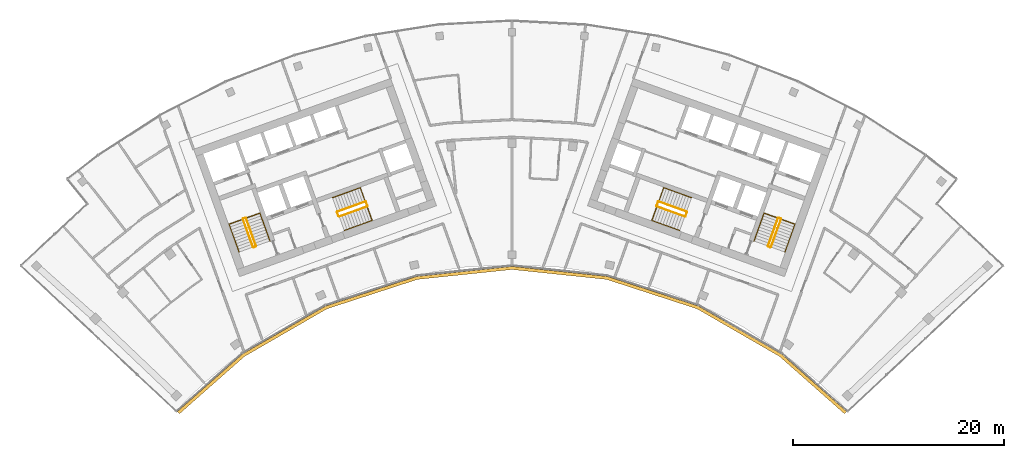
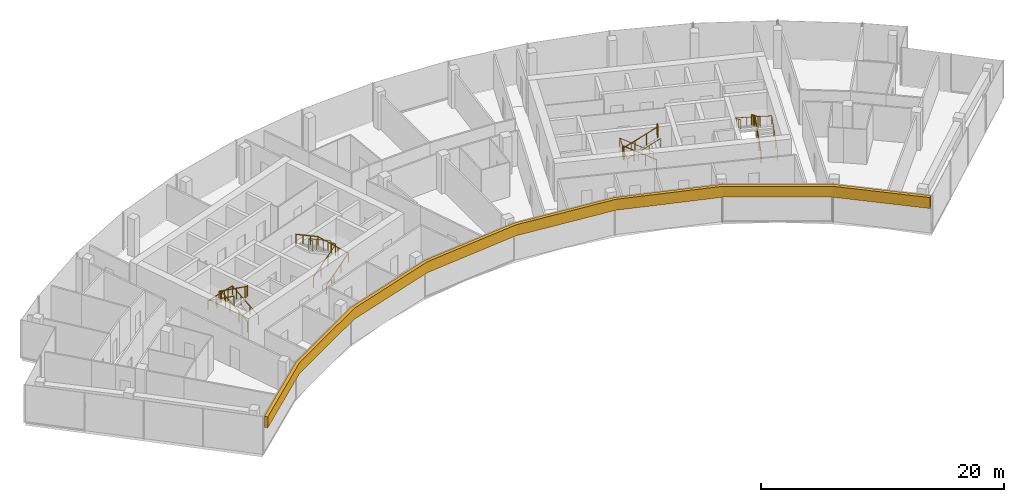
# One storey, part 18 of 18: 12 railings, 1 covering.
"""IFC4 building model written with IfcOpenShell, lengths in metres."""

from ifc_helpers import new_model, si_unit, direction, frame, origin, origin_2d, place, context, subcontext, project, spatial, polyline, circle, outline, extrude, material, layer, layer_set, type_object, element, save


model = new_model("IFC4")

# Units and contexts
model_context = context("Model", 3, precision=1e-05, world=origin(), true_north=direction((0.0, 1.0)))
body_context = subcontext(model_context, "Body", "Model", "MODEL_VIEW")
ifc_project = project(units=[si_unit("LENGTHUNIT", "METRE"), si_unit("AREAUNIT", "SQUARE_METRE"), si_unit("VOLUMEUNIT", "CUBIC_METRE"), si_unit("PLANEANGLEUNIT", "RADIAN"), si_unit("MASSUNIT", "GRAM", prefix="KILO")], contexts=[model_context])

# Site, building, storey
site_placement = place(None, origin())
site = spatial("IfcSite", under=ifc_project, at=site_placement, CompositionType="ELEMENT")
building_placement = place(site_placement, origin())
building = spatial("IfcBuilding", under=site, at=building_placement, Name="Stone Belt Terrace Tower", CompositionType="ELEMENT")
storey_placement = place(building_placement, frame((0.0, 0.0, 299.800048828125)))
storey = spatial("IfcBuildingStorey", under=building, at=storey_placement, Name="L73", CompositionType="ELEMENT", Elevation=299.800048828125)

# Railings
ifc_material_1 = material(Name="Structural steel C345", Category="steel")
railing_type_1 = type_object("IfcRailingType", Name="Stair guard 1100", PredefinedType="GUARDRAIL", material=ifc_material_1)
railing_1_placement = place(storey_placement, frame((-24.2119140625, 45.276123046875, 0.172607421875)))
element("IfcRailing", 1, at=railing_1_placement, inside=storey, type_object=railing_type_1, Name="L73 ST1A stair guard 1", PredefinedType="GUARDRAIL", context=body_context, shape_type="SweptSolid", body=[
    extrude(circle(Radius=0.02392578125, at=origin_2d()), frame((0.0, 0.0, 1.076171875), z_axis=(-0.288228637646, 0.800791768495, 0.525030280985), x_axis=(-0.940908529223, -0.338660803216, 0.0)), (0.0, 0.0, 1.0), 3.289794921875),
    extrude(circle(Radius=0.02392578125, at=origin_2d()), frame((-0.9482421875, 2.634521484375, 2.80322265625), z_axis=(-0.905209821074, 0.424964916, 0.0), x_axis=(-0.424964916, -0.905209821074, 0.0)), (0.0, 0.0, 1.0), 0.070556640625),
    extrude(circle(Radius=0.02392578125, at=origin_2d()), frame((-1.01220703125, 2.66455078125, 2.80322265625), z_axis=(-0.941105063269, -0.338114270461, 0.0), x_axis=(0.338114270461, -0.941105063269, 0.0)), (0.0, 0.0, 1.0), 0.199951171875),
    extrude(circle(Radius=0.02099609375, at=origin_2d()), origin(), (0.0, 0.0, 1.0), 1.052001953125),
    extrude(circle(Radius=0.02099609375, at=origin_2d()), frame((-0.316162109375, 0.878173828125, 0.57568359375)), (0.0, 0.0, 1.0), 1.052001953125),
    extrude(circle(Radius=0.02099609375, at=origin_2d()), frame((-0.632080078125, 1.75634765625, 1.151611328125)), (0.0, 0.0, 1.0), 1.052001953125),
    extrude(circle(Radius=0.02099609375, at=origin_2d()), frame((-0.9482421875, 2.634521484375, 1.727294921875)), (0.0, 0.0, 1.0), 1.052001953125),
    extrude(circle(Radius=0.02099609375, at=origin_2d()), frame((-1.01220703125, 2.66455078125, 1.727294921875)), (0.0, 0.0, 1.0), 1.052001953125),
    extrude(circle(Radius=0.02099609375, at=origin_2d()), frame((-1.200439453125, 2.596923828125, 1.727294921875)), (0.0, 0.0, 1.0), 1.052001953125),
])
railing_2_placement = place(storey_placement, frame((-25.4423828125, 47.80908203125, 2.07275390625)))
element("IfcRailing", 2, at=railing_2_placement, inside=storey, type_object=railing_type_1, Name="L73 ST1A stair guard 2", PredefinedType="GUARDRAIL", context=body_context, shape_type="SweptSolid", body=[
    extrude(circle(Radius=0.02392578125, at=origin_2d()), frame((0.0, 0.0, 1.076171875), z_axis=(0.288228637646, -0.800791768495, 0.525030280985), x_axis=(0.940908529223, 0.338660803216, 0.0)), (0.0, 0.0, 1.0), 3.289794921875),
    extrude(circle(Radius=0.02392578125, at=origin_2d()), frame((0.9482421875, -2.634521484375, 2.80322265625), z_axis=(0.903878284585, -0.427789722475, 0.0), x_axis=(0.427789722475, 0.903878284585, 0.0)), (0.0, 0.0, 1.0), 0.07080078125),
    extrude(circle(Radius=0.02392578125, at=origin_2d()), frame((1.01220703125, -2.664794921875, 2.80322265625), z_axis=(0.940575576748, 0.339584429008, 0.0), x_axis=(-0.339584429008, 0.940575576748, 0.0)), (0.0, 0.0, 1.0), 0.199951171875),
    extrude(circle(Radius=0.02099609375, at=origin_2d()), origin(), (0.0, 0.0, 1.0), 1.052001953125),
    extrude(circle(Radius=0.02099609375, at=origin_2d()), frame((0.316162109375, -0.878173828125, 0.57568359375)), (0.0, 0.0, 1.0), 1.052001953125),
    extrude(circle(Radius=0.02099609375, at=origin_2d()), frame((0.632080078125, -1.75634765625, 1.151611328125)), (0.0, 0.0, 1.0), 1.052001953125),
    extrude(circle(Radius=0.02099609375, at=origin_2d()), frame((0.9482421875, -2.634521484375, 1.727294921875)), (0.0, 0.0, 1.0), 1.052001953125),
    extrude(circle(Radius=0.02099609375, at=origin_2d()), frame((1.01220703125, -2.664794921875, 1.727294921875)), (0.0, 0.0, 1.0), 1.052001953125),
    extrude(circle(Radius=0.02099609375, at=origin_2d()), frame((1.2001953125, -2.596923828125, 1.727294921875)), (0.0, 0.0, 1.0), 1.052001953125),
])
railing_3_placement = place(storey_placement, frame((-16.33837890625, 48.056640625, 0.172607421875)))
element("IfcRailing", 3, at=railing_3_placement, inside=storey, type_object=railing_type_1, Name="L73 ST2A stair guard 1", PredefinedType="GUARDRAIL", context=body_context, shape_type="SweptSolid", body=[
    extrude(circle(Radius=0.02392578125, at=origin_2d()), frame((0.0, 0.0, 1.076171875), z_axis=(0.800808895155, 0.288160591223, 0.52504150989), x_axis=(-0.338583606334, 0.940936311087, 0.0)), (0.0, 0.0, 1.0), 3.289794921875),
    extrude(circle(Radius=0.02392578125, at=origin_2d()), frame((2.634521484375, 0.947998046875, 2.80322265625), z_axis=(0.427789722475, 0.903878284585, 0.0), x_axis=(-0.903878284585, 0.427789722475, 0.0)), (0.0, 0.0, 1.0), 0.07080078125),
    extrude(circle(Radius=0.02392578125, at=origin_2d()), frame((2.664794921875, 1.011962890625, 2.80322265625), z_axis=(-0.338654645739, 0.940910745459, 0.0), x_axis=(-0.940910745459, -0.338654645739, 0.0)), (0.0, 0.0, 1.0), 0.400146484375),
    extrude(circle(Radius=0.02099609375, at=origin_2d()), origin(), (0.0, 0.0, 1.0), 1.052001953125),
    extrude(circle(Radius=0.02099609375, at=origin_2d()), frame((0.878173828125, 0.31591796875, 0.57568359375)), (0.0, 0.0, 1.0), 1.052001953125),
    extrude(circle(Radius=0.02099609375, at=origin_2d()), frame((1.75634765625, 0.632080078125, 1.151611328125)), (0.0, 0.0, 1.0), 1.052001953125),
    extrude(circle(Radius=0.02099609375, at=origin_2d()), frame((2.634521484375, 0.947998046875, 1.727294921875)), (0.0, 0.0, 1.0), 1.052001953125),
    extrude(circle(Radius=0.02099609375, at=origin_2d()), frame((2.664794921875, 1.011962890625, 1.727294921875)), (0.0, 0.0, 1.0), 1.052001953125),
    extrude(circle(Radius=0.02099609375, at=origin_2d()), frame((2.529296875, 1.388427734375, 1.727294921875)), (0.0, 0.0, 1.0), 1.052001953125),
])
railing_4_placement = place(storey_placement, frame((-13.873046875, 49.47509765625, 2.07275390625)))
element("IfcRailing", 4, at=railing_4_placement, inside=storey, type_object=railing_type_1, Name="L73 ST2A stair guard 2", PredefinedType="GUARDRAIL", context=body_context, shape_type="SweptSolid", body=[
    extrude(circle(Radius=0.02392578125, at=origin_2d()), frame((0.0, 0.0, 1.076171875), z_axis=(-0.800808895155, -0.288160591223, 0.52504150989), x_axis=(0.338583606334, -0.940936311087, 0.0)), (0.0, 0.0, 1.0), 3.289794921875),
    extrude(circle(Radius=0.02392578125, at=origin_2d()), frame((-2.634521484375, -0.947998046875, 2.80322265625), z_axis=(-0.427789722475, -0.903878284585, 0.0), x_axis=(0.903878284585, -0.427789722475, 0.0)), (0.0, 0.0, 1.0), 0.07080078125),
    extrude(circle(Radius=0.02392578125, at=origin_2d()), frame((-2.664794921875, -1.011962890625, 2.80322265625), z_axis=(0.338654645739, -0.940910745459, 0.0), x_axis=(0.940910745459, 0.338654645739, 0.0)), (0.0, 0.0, 1.0), 0.400146484375),
    extrude(circle(Radius=0.02099609375, at=origin_2d()), origin(), (0.0, 0.0, 1.0), 1.052001953125),
    extrude(circle(Radius=0.02099609375, at=origin_2d()), frame((-0.878173828125, -0.31591796875, 0.57568359375)), (0.0, 0.0, 1.0), 1.052001953125),
    extrude(circle(Radius=0.02099609375, at=origin_2d()), frame((-1.75634765625, -0.632080078125, 1.151611328125)), (0.0, 0.0, 1.0), 1.052001953125),
    extrude(circle(Radius=0.02099609375, at=origin_2d()), frame((-2.634521484375, -0.947998046875, 1.727294921875)), (0.0, 0.0, 1.0), 1.052001953125),
    extrude(circle(Radius=0.02099609375, at=origin_2d()), frame((-2.664794921875, -1.011962890625, 1.727294921875)), (0.0, 0.0, 1.0), 1.052001953125),
    extrude(circle(Radius=0.02099609375, at=origin_2d()), frame((-2.529296875, -1.388427734375, 1.727294921875)), (0.0, 0.0, 1.0), 1.052001953125),
])
railing_5_placement = place(storey_placement, frame((24.494140625, 45.174560546875, 0.172607421875)))
element("IfcRailing", 5, at=railing_5_placement, inside=storey, type_object=railing_type_1, Name="L73 ST1B stair guard 1", PredefinedType="GUARDRAIL", context=body_context, shape_type="SweptSolid", body=[
    extrude(circle(Radius=0.02392578125, at=origin_2d()), frame((0.0, 0.0, 1.076171875), z_axis=(0.288228637646, 0.800791768495, 0.525030280985), x_axis=(-0.940908529223, 0.338660803216, 0.0)), (0.0, 0.0, 1.0), 3.289794921875),
    extrude(circle(Radius=0.02392578125, at=origin_2d()), frame((0.9482421875, 2.634521484375, 2.80322265625), z_axis=(-0.424964916, 0.905209821074, 0.0), x_axis=(-0.905209821074, -0.424964916, 0.0)), (0.0, 0.0, 1.0), 0.070556640625),
    extrude(circle(Radius=0.02392578125, at=origin_2d()), frame((0.918212890625, 2.698486328125, 2.80322265625), z_axis=(-0.941105063269, 0.338114270461, 0.0), x_axis=(-0.338114270461, -0.941105063269, 0.0)), (0.0, 0.0, 1.0), 0.199951171875),
    extrude(circle(Radius=0.02099609375, at=origin_2d()), origin(), (0.0, 0.0, 1.0), 1.052001953125),
    extrude(circle(Radius=0.02099609375, at=origin_2d()), frame((0.316162109375, 0.878173828125, 0.57568359375)), (0.0, 0.0, 1.0), 1.052001953125),
    extrude(circle(Radius=0.02099609375, at=origin_2d()), frame((0.632080078125, 1.75634765625, 1.151611328125)), (0.0, 0.0, 1.0), 1.052001953125),
    extrude(circle(Radius=0.02099609375, at=origin_2d()), frame((0.9482421875, 2.634521484375, 1.727294921875)), (0.0, 0.0, 1.0), 1.052001953125),
    extrude(circle(Radius=0.02099609375, at=origin_2d()), frame((0.918212890625, 2.698486328125, 1.727294921875)), (0.0, 0.0, 1.0), 1.052001953125),
    extrude(circle(Radius=0.02099609375, at=origin_2d()), frame((0.72998046875, 2.76611328125, 1.727294921875)), (0.0, 0.0, 1.0), 1.052001953125),
])
railing_6_placement = place(storey_placement, frame((25.16015625, 47.91064453125, 2.07275390625)))
element("IfcRailing", 6, at=railing_6_placement, inside=storey, type_object=railing_type_1, Name="L73 ST1B stair guard 2", PredefinedType="GUARDRAIL", context=body_context, shape_type="SweptSolid", body=[
    extrude(circle(Radius=0.02392578125, at=origin_2d()), frame((0.0, 0.0, 1.076171875), z_axis=(-0.288228637646, -0.800791768495, 0.525030280985), x_axis=(0.940908529223, -0.338660803216, 0.0)), (0.0, 0.0, 1.0), 3.289794921875),
    extrude(circle(Radius=0.02392578125, at=origin_2d()), frame((-0.9482421875, -2.634521484375, 2.80322265625), z_axis=(0.427789722475, -0.903878284585, 0.0), x_axis=(0.903878284585, 0.427789722475, 0.0)), (0.0, 0.0, 1.0), 0.07080078125),
    extrude(circle(Radius=0.02392578125, at=origin_2d()), frame((-0.91796875, -2.698486328125, 2.80322265625), z_axis=(0.940575576748, -0.339584429008, 0.0), x_axis=(0.339584429008, 0.940575576748, 0.0)), (0.0, 0.0, 1.0), 0.199951171875),
    extrude(circle(Radius=0.02099609375, at=origin_2d()), origin(), (0.0, 0.0, 1.0), 1.052001953125),
    extrude(circle(Radius=0.02099609375, at=origin_2d()), frame((-0.316162109375, -0.878173828125, 0.57568359375)), (0.0, 0.0, 1.0), 1.052001953125),
    extrude(circle(Radius=0.02099609375, at=origin_2d()), frame((-0.632080078125, -1.75634765625, 1.151611328125)), (0.0, 0.0, 1.0), 1.052001953125),
    extrude(circle(Radius=0.02099609375, at=origin_2d()), frame((-0.9482421875, -2.634521484375, 1.727294921875)), (0.0, 0.0, 1.0), 1.052001953125),
    extrude(circle(Radius=0.02099609375, at=origin_2d()), frame((-0.91796875, -2.698486328125, 1.727294921875)), (0.0, 0.0, 1.0), 1.052001953125),
    extrude(circle(Radius=0.02099609375, at=origin_2d()), frame((-0.72998046875, -2.766357421875, 1.727294921875)), (0.0, 0.0, 1.0), 1.052001953125),
])
railing_7_placement = place(storey_placement, frame((16.507568359375, 48.527099609375, 0.172607421875)))
element("IfcRailing", 7, at=railing_7_placement, inside=storey, type_object=railing_type_1, Name="L73 ST2B stair guard 1", PredefinedType="GUARDRAIL", context=body_context, shape_type="SweptSolid", body=[
    extrude(circle(Radius=0.02392578125, at=origin_2d()), frame((0.0, 0.0, 1.076171875), z_axis=(-0.800808895155, 0.288160591223, 0.52504150989), x_axis=(-0.338583606334, -0.940936311087, 0.0)), (0.0, 0.0, 1.0), 3.289794921875),
    extrude(circle(Radius=0.02392578125, at=origin_2d()), frame((-2.634521484375, 0.947998046875, 2.80322265625), z_axis=(-0.905209821074, -0.424964916, 0.0), x_axis=(0.424964916, -0.905209821074, 0.0)), (0.0, 0.0, 1.0), 0.070556640625),
    extrude(circle(Radius=0.02392578125, at=origin_2d()), frame((-2.698486328125, 0.91796875, 2.80322265625), z_axis=(-0.338654645739, -0.940910745459, 0.0), x_axis=(0.940910745459, -0.338654645739, 0.0)), (0.0, 0.0, 1.0), 0.400146484375),
    extrude(circle(Radius=0.02099609375, at=origin_2d()), origin(), (0.0, 0.0, 1.0), 1.052001953125),
    extrude(circle(Radius=0.02099609375, at=origin_2d()), frame((-0.878173828125, 0.31591796875, 0.57568359375)), (0.0, 0.0, 1.0), 1.052001953125),
    extrude(circle(Radius=0.02099609375, at=origin_2d()), frame((-1.75634765625, 0.632080078125, 1.151611328125)), (0.0, 0.0, 1.0), 1.052001953125),
    extrude(circle(Radius=0.02099609375, at=origin_2d()), frame((-2.634521484375, 0.947998046875, 1.727294921875)), (0.0, 0.0, 1.0), 1.052001953125),
    extrude(circle(Radius=0.02099609375, at=origin_2d()), frame((-2.698486328125, 0.91796875, 1.727294921875)), (0.0, 0.0, 1.0), 1.052001953125),
    extrude(circle(Radius=0.02099609375, at=origin_2d()), frame((-2.833984375, 0.54150390625, 1.727294921875)), (0.0, 0.0, 1.0), 1.052001953125),
])
railing_8_placement = place(storey_placement, frame((13.703857421875, 49.004638671875, 2.07275390625)))
element("IfcRailing", 8, at=railing_8_placement, inside=storey, type_object=railing_type_1, Name="L73 ST2B stair guard 2", PredefinedType="GUARDRAIL", context=body_context, shape_type="SweptSolid", body=[
    extrude(circle(Radius=0.02392578125, at=origin_2d()), frame((0.0, 0.0, 1.076171875), z_axis=(0.800808895155, -0.288160591223, 0.52504150989), x_axis=(0.338583606334, 0.940936311087, 0.0)), (0.0, 0.0, 1.0), 3.289794921875),
    extrude(circle(Radius=0.02392578125, at=origin_2d()), frame((2.634521484375, -0.947998046875, 2.80322265625), z_axis=(0.905209821074, 0.424964916, 0.0), x_axis=(-0.424964916, 0.905209821074, 0.0)), (0.0, 0.0, 1.0), 0.070556640625),
    extrude(circle(Radius=0.02392578125, at=origin_2d()), frame((2.698486328125, -0.91796875, 2.80322265625), z_axis=(0.338654645739, 0.940910745459, 0.0), x_axis=(-0.940910745459, 0.338654645739, 0.0)), (0.0, 0.0, 1.0), 0.400146484375),
    extrude(circle(Radius=0.02099609375, at=origin_2d()), origin(), (0.0, 0.0, 1.0), 1.052001953125),
    extrude(circle(Radius=0.02099609375, at=origin_2d()), frame((0.878173828125, -0.31591796875, 0.57568359375)), (0.0, 0.0, 1.0), 1.052001953125),
    extrude(circle(Radius=0.02099609375, at=origin_2d()), frame((1.75634765625, -0.632080078125, 1.151611328125)), (0.0, 0.0, 1.0), 1.052001953125),
    extrude(circle(Radius=0.02099609375, at=origin_2d()), frame((2.634521484375, -0.947998046875, 1.727294921875)), (0.0, 0.0, 1.0), 1.052001953125),
    extrude(circle(Radius=0.02099609375, at=origin_2d()), frame((2.698486328125, -0.91796875, 1.727294921875)), (0.0, 0.0, 1.0), 1.052001953125),
    extrude(circle(Radius=0.02099609375, at=origin_2d()), frame((2.833984375, -0.54150390625, 1.727294921875)), (0.0, 0.0, 1.0), 1.052001953125),
])
railing_type_2 = type_object("IfcRailingType", Name="Stair handrail 900", PredefinedType="HANDRAIL", material=ifc_material_1)
railing_9_placement = place(storey_placement, frame((-22.894775390625, 45.750244140625, 0.172607421875)))
element("IfcRailing", 9, at=railing_9_placement, inside=storey, type_object=railing_type_2, Name="L73 ST1A stair handrail 1", PredefinedType="HANDRAIL", context=body_context, shape_type="SweptSolid", body=[
    extrude(circle(Radius=0.02392578125, at=origin_2d()), frame((0.0, 0.0, 0.8759765625), z_axis=(-0.288160591223, 0.800808895155, 0.52504150989), x_axis=(-0.940936311087, -0.338583606334, 0.0)), (0.0, 0.0, 1.0), 3.289794921875),
    extrude(circle(Radius=0.02392578125, at=origin_2d()), frame((-0.947998046875, 2.634521484375, 2.60302734375), z_axis=(-0.939460408074, -0.338105101667, 0.055669398135), x_axis=(0.338630230244, -0.940919532779, 0.0)), (0.0, 0.0, 1.0), 3.10498046875),
    extrude(circle(Radius=0.02392578125, at=origin_2d()), frame((-3.864990234375, 1.584716796875, 2.77587890625), z_axis=(0.288228637646, -0.800791768495, 0.525030280985), x_axis=(0.940908529223, 0.338660803216, 0.0)), (0.0, 0.0, 1.0), 3.289794921875),
    extrude(circle(Radius=0.02099609375, at=origin_2d()), origin(), (0.0, 0.0, 1.0), 0.851806640625),
    extrude(circle(Radius=0.02099609375, at=origin_2d()), frame((-0.31591796875, 0.878173828125, 0.57568359375)), (0.0, 0.0, 1.0), 0.851806640625),
    extrude(circle(Radius=0.02099609375, at=origin_2d()), frame((-0.632080078125, 1.75634765625, 1.151611328125)), (0.0, 0.0, 1.0), 0.851806640625),
    extrude(circle(Radius=0.02099609375, at=origin_2d()), frame((-0.947998046875, 2.634521484375, 1.727294921875)), (0.0, 0.0, 1.0), 0.851806640625),
    extrude(circle(Radius=0.02099609375, at=origin_2d()), frame((-1.92041015625, 2.28466796875, 1.784912109375)), (0.0, 0.0, 1.0), 0.851806640625),
    extrude(circle(Radius=0.02099609375, at=origin_2d()), frame((-2.892578125, 1.9345703125, 1.842529296875)), (0.0, 0.0, 1.0), 0.851806640625),
    extrude(circle(Radius=0.02099609375, at=origin_2d()), frame((-3.864990234375, 1.584716796875, 1.900146484375)), (0.0, 0.0, 1.0), 0.851806640625),
    extrude(circle(Radius=0.02099609375, at=origin_2d()), frame((-3.548828125, 0.70654296875, 2.475830078125)), (0.0, 0.0, 1.0), 0.851806640625),
    extrude(circle(Radius=0.02099609375, at=origin_2d()), frame((-3.23291015625, -0.171630859375, 3.0517578125)), (0.0, 0.0, 1.0), 0.851806640625),
    extrude(circle(Radius=0.02099609375, at=origin_2d()), frame((-2.916748046875, -1.0498046875, 3.62744140625)), (0.0, 0.0, 1.0), 0.851806640625),
])
railing_10_placement = place(storey_placement, frame((-15.8642578125, 46.7392578125, 0.172607421875)))
element("IfcRailing", 10, at=railing_10_placement, inside=storey, type_object=railing_type_2, Name="L73 ST2A stair handrail 1", PredefinedType="HANDRAIL", context=body_context, shape_type="SweptSolid", body=[
    extrude(circle(Radius=0.02392578125, at=origin_2d()), frame((0.0, 0.0, 0.8759765625), z_axis=(0.800791768495, 0.288228637646, 0.525030280985), x_axis=(-0.338660803216, 0.940908529223, 0.0)), (0.0, 0.0, 1.0), 3.289794921875),
    extrude(circle(Radius=0.02392578125, at=origin_2d()), frame((2.634521484375, 0.9482421875, 2.60302734375), z_axis=(-0.338158948057, 0.939634149308, 0.052308615955), x_axis=(-0.940922302781, -0.338622533404, 0.0)), (0.0, 0.0, 1.0), 3.304443359375),
    extrude(circle(Radius=0.02392578125, at=origin_2d()), frame((1.51708984375, 4.05322265625, 2.77587890625), z_axis=(-0.800791768495, -0.288228637646, 0.525030280985), x_axis=(0.338660803216, -0.940908529223, 0.0)), (0.0, 0.0, 1.0), 3.289794921875),
    extrude(circle(Radius=0.02099609375, at=origin_2d()), origin(), (0.0, 0.0, 1.0), 0.851806640625),
    extrude(circle(Radius=0.02099609375, at=origin_2d()), frame((0.878173828125, 0.316162109375, 0.57568359375)), (0.0, 0.0, 1.0), 0.851806640625),
    extrude(circle(Radius=0.02099609375, at=origin_2d()), frame((1.75634765625, 0.632080078125, 1.151611328125)), (0.0, 0.0, 1.0), 0.851806640625),
    extrude(circle(Radius=0.02099609375, at=origin_2d()), frame((2.634521484375, 0.9482421875, 1.727294921875)), (0.0, 0.0, 1.0), 0.851806640625),
    extrude(circle(Radius=0.02099609375, at=origin_2d()), frame((2.261962890625, 1.983154296875, 1.784912109375)), (0.0, 0.0, 1.0), 0.851806640625),
    extrude(circle(Radius=0.02099609375, at=origin_2d()), frame((1.8896484375, 3.018310546875, 1.842529296875)), (0.0, 0.0, 1.0), 0.851806640625),
    extrude(circle(Radius=0.02099609375, at=origin_2d()), frame((1.51708984375, 4.05322265625, 1.900146484375)), (0.0, 0.0, 1.0), 0.851806640625),
    extrude(circle(Radius=0.02099609375, at=origin_2d()), frame((0.638916015625, 3.737060546875, 2.475830078125)), (0.0, 0.0, 1.0), 0.851806640625),
    extrude(circle(Radius=0.02099609375, at=origin_2d()), frame((-0.2392578125, 3.421142578125, 3.0517578125)), (0.0, 0.0, 1.0), 0.851806640625),
    extrude(circle(Radius=0.02099609375, at=origin_2d()), frame((-1.117431640625, 3.10498046875, 3.62744140625)), (0.0, 0.0, 1.0), 0.851806640625),
])
railing_11_placement = place(storey_placement, frame((25.8115234375, 44.700439453125, 0.172607421875)))
element("IfcRailing", 11, at=railing_11_placement, inside=storey, type_object=railing_type_2, Name="L73 ST1B stair handrail 1", PredefinedType="HANDRAIL", context=body_context, shape_type="SweptSolid", body=[
    extrude(circle(Radius=0.02392578125, at=origin_2d()), frame((0.0, 0.0, 0.8759765625), z_axis=(0.288228637646, 0.800791768495, 0.525030280985), x_axis=(-0.940908529223, 0.338660803216, 0.0)), (0.0, 0.0, 1.0), 3.289794921875),
    extrude(circle(Radius=0.02392578125, at=origin_2d()), frame((0.9482421875, 2.634521484375, 2.60302734375), z_axis=(-0.939460408074, 0.338105101667, 0.055669398135), x_axis=(-0.338630230244, -0.940919532779, 0.0)), (0.0, 0.0, 1.0), 3.10498046875),
    extrude(circle(Radius=0.02392578125, at=origin_2d()), frame((-1.96875, 3.684326171875, 2.77587890625), z_axis=(-0.288160591223, -0.800808895155, 0.52504150989), x_axis=(0.940936311087, -0.338583606334, 0.0)), (0.0, 0.0, 1.0), 3.289794921875),
    extrude(circle(Radius=0.02099609375, at=origin_2d()), origin(), (0.0, 0.0, 1.0), 0.851806640625),
    extrude(circle(Radius=0.02099609375, at=origin_2d()), frame((0.316162109375, 0.878173828125, 0.57568359375)), (0.0, 0.0, 1.0), 0.851806640625),
    extrude(circle(Radius=0.02099609375, at=origin_2d()), frame((0.632080078125, 1.75634765625, 1.151611328125)), (0.0, 0.0, 1.0), 0.851806640625),
    extrude(circle(Radius=0.02099609375, at=origin_2d()), frame((0.9482421875, 2.634521484375, 1.727294921875)), (0.0, 0.0, 1.0), 0.851806640625),
    extrude(circle(Radius=0.02099609375, at=origin_2d()), frame((-0.024169921875, 2.984375, 1.784912109375)), (0.0, 0.0, 1.0), 0.851806640625),
    extrude(circle(Radius=0.02099609375, at=origin_2d()), frame((-0.996337890625, 3.33447265625, 1.842529296875)), (0.0, 0.0, 1.0), 0.851806640625),
    extrude(circle(Radius=0.02099609375, at=origin_2d()), frame((-1.96875, 3.684326171875, 1.900146484375)), (0.0, 0.0, 1.0), 0.851806640625),
    extrude(circle(Radius=0.02099609375, at=origin_2d()), frame((-2.28466796875, 2.80615234375, 2.475830078125)), (0.0, 0.0, 1.0), 0.851806640625),
    extrude(circle(Radius=0.02099609375, at=origin_2d()), frame((-2.600830078125, 1.927978515625, 3.0517578125)), (0.0, 0.0, 1.0), 0.851806640625),
    extrude(circle(Radius=0.02099609375, at=origin_2d()), frame((-2.916748046875, 1.0498046875, 3.62744140625)), (0.0, 0.0, 1.0), 0.851806640625),
])
railing_12_placement = place(storey_placement, frame((16.981689453125, 49.84423828125, 0.172607421875)))
element("IfcRailing", 12, at=railing_12_placement, inside=storey, type_object=railing_type_2, Name="L73 ST2B stair handrail 1", PredefinedType="HANDRAIL", context=body_context, shape_type="SweptSolid", body=[
    extrude(circle(Radius=0.02392578125, at=origin_2d()), frame((0.0, 0.0, 0.8759765625), z_axis=(-0.800791768495, 0.288228637646, 0.525030280985), x_axis=(-0.338660803216, -0.940908529223, 0.0)), (0.0, 0.0, 1.0), 3.289794921875),
    extrude(circle(Radius=0.02392578125, at=origin_2d()), frame((-2.634521484375, 0.9482421875, 2.60302734375), z_axis=(-0.338158948057, -0.939634149308, 0.052308615955), x_axis=(0.940922302781, -0.338622533404, 0.0)), (0.0, 0.0, 1.0), 3.304443359375),
    extrude(circle(Radius=0.02392578125, at=origin_2d()), frame((-3.751953125, -2.15673828125, 2.77587890625), z_axis=(0.800791768495, -0.288228637646, 0.525030280985), x_axis=(0.338660803216, 0.940908529223, 0.0)), (0.0, 0.0, 1.0), 3.289794921875),
    extrude(circle(Radius=0.02099609375, at=origin_2d()), origin(), (0.0, 0.0, 1.0), 0.851806640625),
    extrude(circle(Radius=0.02099609375, at=origin_2d()), frame((-0.878173828125, 0.316162109375, 0.57568359375)), (0.0, 0.0, 1.0), 0.851806640625),
    extrude(circle(Radius=0.02099609375, at=origin_2d()), frame((-1.75634765625, 0.632080078125, 1.151611328125)), (0.0, 0.0, 1.0), 0.851806640625),
    extrude(circle(Radius=0.02099609375, at=origin_2d()), frame((-2.634521484375, 0.9482421875, 1.727294921875)), (0.0, 0.0, 1.0), 0.851806640625),
    extrude(circle(Radius=0.02099609375, at=origin_2d()), frame((-3.007080078125, -0.086669921875, 1.784912109375)), (0.0, 0.0, 1.0), 0.851806640625),
    extrude(circle(Radius=0.02099609375, at=origin_2d()), frame((-3.37939453125, -1.121826171875, 1.842529296875)), (0.0, 0.0, 1.0), 0.851806640625),
    extrude(circle(Radius=0.02099609375, at=origin_2d()), frame((-3.751953125, -2.15673828125, 1.900146484375)), (0.0, 0.0, 1.0), 0.851806640625),
    extrude(circle(Radius=0.02099609375, at=origin_2d()), frame((-2.873779296875, -2.472900390625, 2.475830078125)), (0.0, 0.0, 1.0), 0.851806640625),
    extrude(circle(Radius=0.02099609375, at=origin_2d()), frame((-1.99560546875, -2.788818359375, 3.0517578125)), (0.0, 0.0, 1.0), 0.851806640625),
    extrude(circle(Radius=0.02099609375, at=origin_2d()), frame((-1.117431640625, -3.10498046875, 3.62744140625)), (0.0, 0.0, 1.0), 0.851806640625),
])

# Covering
ifc_material_2 = material(Name="Terracotta coloured glazed ceramic", Category="masonry")
ifc_layer = layer(ifc_material_2, 0.300048828125)
ifc_layer_set = layer_set([ifc_layer], Name="Terracotta spandrel band 300 x 1100")
covering_type = type_object("IfcCoveringType", Name="Terracotta spandrel band 300 x 1100", PredefinedType="CLADDING", material=ifc_layer_set)
covering_placement = place(storey_placement, frame((0.0, 0.0, 2.699951171875)))
element("IfcCovering", 13, at=covering_placement, inside=storey, type_object=covering_type, Name="BAND L73", PredefinedType="CLADDING", context=body_context, shape_type="SweptSolid", body=[
    extrude(outline(polyline([(-31.651611328125, 29.6220703125), (-25.480712890625, 35.06982421875), (-17.631591796875, 39.6015625), (-9.0126953125, 42.40185546875), (0.0, 43.34912109375), (9.0126953125, 42.40185546875), (17.631591796875, 39.6015625), (25.480712890625, 35.06982421875), (31.651611328125, 29.6220703125), (31.453125, 29.39697265625), (25.3046875, 34.824951171875), (17.509033203125, 39.325927734375), (8.9501953125, 42.10693359375), (0.0, 43.047607421875), (-8.9501953125, 42.10693359375), (-17.509033203125, 39.325927734375), (-25.3046875, 34.824951171875), (-31.453125, 29.39697265625), (-31.651611328125, 29.6220703125)])), origin(), (0.0, 0.0, 1.0), 1.10009765625),
])

save(model, "model.ifc")
